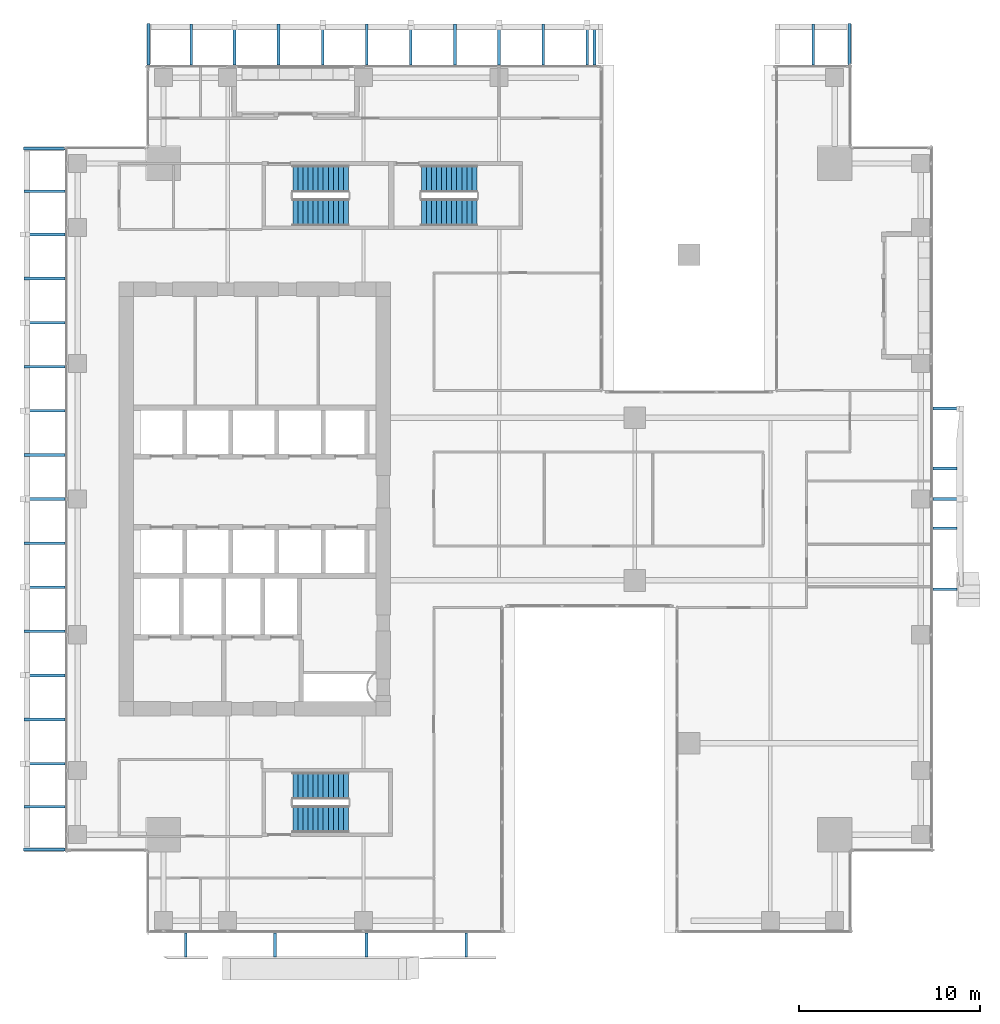
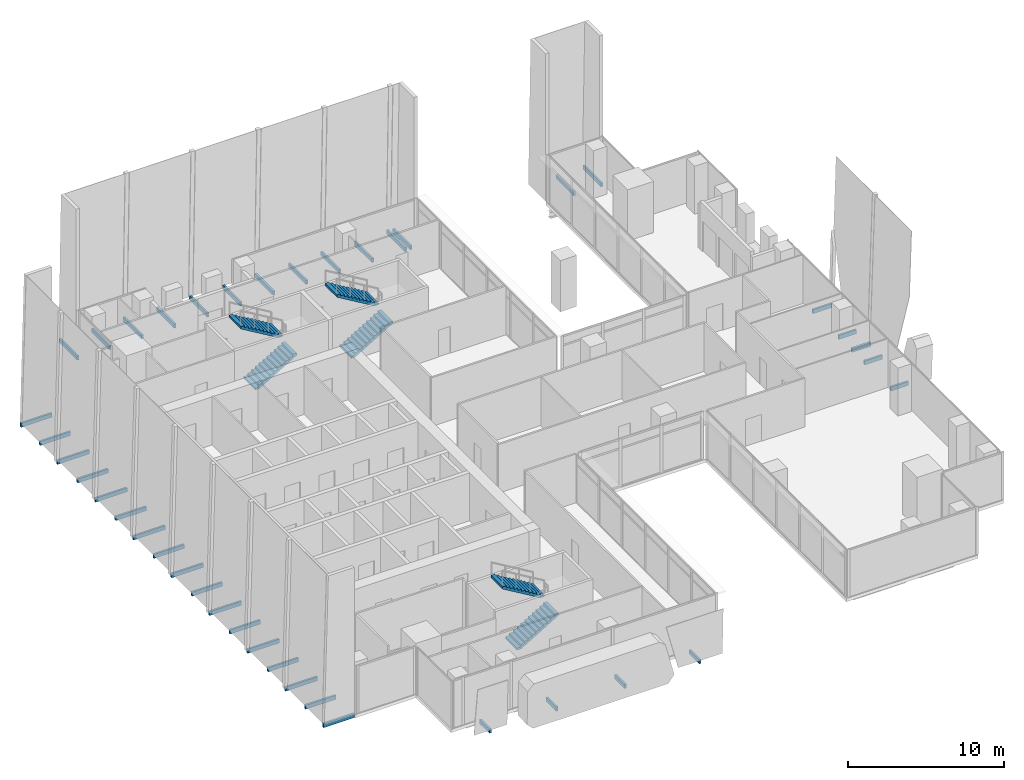
# One storey, part 36 of 40: 40 discrete accessories, 6 stair flights, 3 elements without a shape of their own.
"""IFC4 building model written with IfcOpenShell, lengths in metres."""

from ifc_helpers import new_model, si_unit, direction, frame, origin, origin_2d, place, context, subcontext, project, spatial, polyline, rectangle, outline, extrude, source, transform, mapped, material, type_object, element, aggregate, save


model = new_model("IFC4")

# Units and contexts
model_context = context("Model", 3, precision=1e-05, world=origin(), true_north=direction((0.0, 1.0)))
body_context = subcontext(model_context, "Body", "Model", "MODEL_VIEW")
ifc_project = project(units=[si_unit("LENGTHUNIT", "METRE"), si_unit("AREAUNIT", "SQUARE_METRE"), si_unit("VOLUMEUNIT", "CUBIC_METRE"), si_unit("PLANEANGLEUNIT", "RADIAN"), si_unit("MASSUNIT", "GRAM", prefix="KILO")], contexts=[model_context])

# Site, building, storey
site_placement = place(None, origin())
site = spatial("IfcSite", under=ifc_project, at=site_placement, CompositionType="ELEMENT")
building_placement = place(site_placement, origin())
building = spatial("IfcBuilding", under=site, at=building_placement, Name="Khomas Fold Tower", CompositionType="ELEMENT")
storey_placement = place(building_placement, frame((0.0, 0.0, 176.699951171875)))
storey = spatial("IfcBuildingStorey", under=building, at=storey_placement, Name="L38", CompositionType="ELEMENT", Elevation=176.699951171875)

# Stair, stair flights
ifc_material_1 = material(Name="Concrete C40/50", Category="concrete")
stair_type_1 = type_object("IfcStairType", Name="Stair ST1", PredefinedType="HALF_TURN_STAIR", material=ifc_material_1)
stair_1_placement = place(storey_placement, origin())
stair_1 = element("IfcStair", 1, at=stair_1_placement, inside=storey, type_object=stair_type_1, Name="L38 ST1", PredefinedType="HALF_TURN_STAIR")
ifc_material_2 = material(Name="Concrete C40/50", Category="concrete")
stair_flight_type_1 = type_object("IfcStairFlightType", Name="Stair flight 1500 ST1", PredefinedType="STRAIGHT", material=ifc_material_2)
shared_shape_1 = source(origin(), body_context, "Body", "SweptSolid", [
    extrude(outline(polyline([(0.0, 0.0), (0.0, 0.012939453125), (0.0, 0.025634765625), (0.0, 0.03857421875), (0.0, 0.05126953125), (0.0, 0.064208984375), (0.0, 0.076904296875), (0.0, 0.08984375), (0.0, 0.1025390625), (0.0, 0.115478515625), (0.0, 0.128173828125), (0.0, 0.14111328125), (0.0, 0.15380859375), (0.0, 0.166748046875), (0.280029296875, 0.166748046875), (0.280029296875, 0.333251953125), (0.56005859375, 0.333251953125), (0.56005859375, 0.5), (0.840087890625, 0.5), (0.840087890625, 0.666748046875), (1.1201171875, 0.666748046875), (1.1201171875, 0.833251953125), (1.39990234375, 0.833251953125), (1.39990234375, 1.0), (1.679931640625, 1.0), (1.679931640625, 1.166748046875), (1.9599609375, 1.166748046875), (1.9599609375, 1.333251953125), (2.239990234375, 1.333251953125), (2.239990234375, 1.5), (2.52001953125, 1.5), (2.52001953125, 1.666748046875), (2.800048828125, 1.666748046875), (2.800048828125, 1.833251953125), (3.080078125, 1.833251953125), (3.080078125, 2.0), (3.080078125, 1.973876953125), (3.080078125, 1.947509765625), (3.080078125, 1.92138671875), (3.080078125, 1.89501953125), (3.080078125, 1.868896484375), (3.080078125, 1.842529296875), (3.080078125, 1.81640625), (3.080078125, 1.7900390625), (3.080078125, 1.763916015625), (3.080078125, 1.737548828125), (3.080078125, 1.71142578125), (3.080078125, 1.68505859375), (3.080078125, 1.658935546875), (0.29296875, 0.0), (0.0, 0.0)])), frame((0.0, 0.75, 0.0), z_axis=(0.0, -1.0, 0.0), x_axis=(1.0, 0.0, 0.0)), (0.0, 0.0, 1.0), 1.5),
])
stair_flight_1_placement = place(storey_placement, frame((15.60009765625, 42.85009765625, 0.0), z_axis=(0.0, 0.0, 1.0), x_axis=(1.0, 0.0, 0.0)))
stair_flight_1 = element("IfcStairFlight", 2, at=stair_flight_1_placement, type_object=stair_flight_type_1, Name="ST1 flight 1", NumberOfRisers=12, NumberOfTreads=11, PredefinedType="STRAIGHT", RiserHeight=0.166666667, TreadLength=0.28, context=body_context, shape_type="MappedRepresentation", body=[
    mapped(shared_shape_1, transform((0.0, 0.0, 0.0))),
])
stair_flight_2_placement = place(storey_placement, frame((18.679931640625, 44.699951171875, 2.0), z_axis=(0.0, 0.0, 1.0), x_axis=(-1.0, 0.0, 0.0)))
stair_flight_2 = element("IfcStairFlight", 3, at=stair_flight_2_placement, type_object=stair_flight_type_1, Name="ST1 flight 2", NumberOfRisers=12, NumberOfTreads=11, PredefinedType="STRAIGHT", RiserHeight=0.166666667, TreadLength=0.28, context=body_context, shape_type="MappedRepresentation", body=[
    mapped(shared_shape_1, transform((0.0, 0.0, 0.0))),
])
aggregate(stair_1, [stair_flight_1, stair_flight_2])

ifc_material_3 = material(Name="Concrete C40/50", Category="concrete")
stair_type_2 = type_object("IfcStairType", Name="Stair ST2", PredefinedType="HALF_TURN_STAIR", material=ifc_material_3)
stair_2_placement = place(storey_placement, origin())
stair_2 = element("IfcStair", 4, at=stair_2_placement, inside=storey, type_object=stair_type_2, Name="L38 ST2", PredefinedType="HALF_TURN_STAIR")
ifc_material_4 = material(Name="Concrete C40/50", Category="concrete")
stair_flight_type_2 = type_object("IfcStairFlightType", Name="Stair flight 1500 ST2", PredefinedType="STRAIGHT", material=ifc_material_4)
stair_flight_3_placement = place(storey_placement, frame((15.60009765625, 9.300048828125, 0.0), z_axis=(0.0, 0.0, 1.0), x_axis=(1.0, 0.0, 0.0)))
stair_flight_3 = element("IfcStairFlight", 5, at=stair_flight_3_placement, type_object=stair_flight_type_2, Name="ST2 flight 1", NumberOfRisers=12, NumberOfTreads=11, PredefinedType="STRAIGHT", RiserHeight=0.166666667, TreadLength=0.28, context=body_context, shape_type="MappedRepresentation", body=[
    mapped(shared_shape_1, transform((0.0, 0.0, 0.0))),
])
stair_flight_4_placement = place(storey_placement, frame((18.679931640625, 11.14990234375, 2.0), z_axis=(0.0, 0.0, 1.0), x_axis=(-1.0, 0.0, 0.0)))
stair_flight_4 = element("IfcStairFlight", 6, at=stair_flight_4_placement, type_object=stair_flight_type_2, Name="ST2 flight 2", NumberOfRisers=12, NumberOfTreads=11, PredefinedType="STRAIGHT", RiserHeight=0.166666667, TreadLength=0.28, context=body_context, shape_type="MappedRepresentation", body=[
    mapped(shared_shape_1, transform((0.0, 0.0, 0.0))),
])
aggregate(stair_2, [stair_flight_3, stair_flight_4])

ifc_material_5 = material(Name="Concrete C40/50", Category="concrete")
stair_type_3 = type_object("IfcStairType", Name="Stair ST3", PredefinedType="HALF_TURN_STAIR", material=ifc_material_5)
stair_3_placement = place(storey_placement, origin())
stair_3 = element("IfcStair", 7, at=stair_3_placement, inside=storey, type_object=stair_type_3, Name="L38 ST3", PredefinedType="HALF_TURN_STAIR")
ifc_material_6 = material(Name="Concrete C40/50", Category="concrete")
stair_flight_type_3 = type_object("IfcStairFlightType", Name="Stair flight 1500 ST3", PredefinedType="STRAIGHT", material=ifc_material_6)
stair_flight_5_placement = place(storey_placement, frame((22.699951171875, 42.85009765625, 0.0), z_axis=(0.0, 0.0, 1.0), x_axis=(1.0, 0.0, 0.0)))
stair_flight_5 = element("IfcStairFlight", 8, at=stair_flight_5_placement, type_object=stair_flight_type_3, Name="ST3 flight 1", NumberOfRisers=12, NumberOfTreads=11, PredefinedType="STRAIGHT", RiserHeight=0.166666667, TreadLength=0.28, context=body_context, shape_type="MappedRepresentation", body=[
    mapped(shared_shape_1, transform((0.0, 0.0, 0.0))),
])
stair_flight_6_placement = place(storey_placement, frame((25.780029296875, 44.699951171875, 2.0), z_axis=(0.0, 0.0, 1.0), x_axis=(-1.0, 0.0, 0.0)))
stair_flight_6 = element("IfcStairFlight", 9, at=stair_flight_6_placement, type_object=stair_flight_type_3, Name="ST3 flight 2", NumberOfRisers=12, NumberOfTreads=11, PredefinedType="STRAIGHT", RiserHeight=0.166666667, TreadLength=0.28, context=body_context, shape_type="MappedRepresentation", body=[
    mapped(shared_shape_1, transform((0.0, 0.0, 0.0))),
])
aggregate(stair_3, [stair_flight_5, stair_flight_6])

# Discrete accessories
ifc_material_7 = material(Name="Stainless steel", Category="steel")
discrete_accessory_type = type_object("IfcDiscreteAccessoryType", Name="SK-Stainless steel stone bracket", PredefinedType="BRACKET", material=ifc_material_7)
shared_shape_2 = source(origin(), body_context, "Body", "SweptSolid", [
    extrude(rectangle(XDim=1.301513671875, YDim=0.14990234375, at=origin_2d()), origin(), (0.0, 0.0, 1.0), 0.31005859375),
])
for number, where, z_axis, x_axis, name in (
    (10, (14.611572265625, 2.34912109375, -0.25), (0.0, 0.0, 1.0), (0.0, -1.0, 0.0), "Stone bracket L38 SS03-1-1"),
    (11, (19.675048828125, 2.34912109375, -0.25), (0.0, 0.0, 1.0), (0.0, -1.0, 0.0), "Stone bracket L38 SS03-1-2"),
    (12, (51.65087890625, 22.0126953125, -0.25), (0.0, 0.0, 1.0), (1.0, 0.0, 0.0), "Stone bracket L38 ES03-1-1"),
    (13, (9.67578125, 2.34912109375, -0.25), (0.0, 0.0, 1.0), (0.0, -1.0, 0.0), "Stone bracket L38 SG099-1-1"),
    (14, (25.18994140625, 2.34912109375, -0.25), (0.0, 0.0, 1.0), (0.0, -1.0, 0.0), "Stone bracket L38 SG102-2-1"),
    (15, (51.65087890625, 25.3876953125, -0.25), (0.0, 0.0, 1.0), (1.0, 0.0, 0.0), "Stone bracket L38 EG102-2-1"),
    (16, (51.65087890625, 28.68798828125, -0.25), (0.0, 0.0, 1.0), (1.0, 0.0, 0.0), "Stone bracket L38 EG103-4-1"),
):
    element("IfcDiscreteAccessory", number, at=place(storey_placement, frame(where, z_axis=z_axis, x_axis=x_axis)), inside=storey, type_object=discrete_accessory_type, Name=name, PredefinedType="BRACKET", context=body_context, shape_type="MappedRepresentation", body=[
        mapped(shared_shape_2, transform((0.0, 0.0, 0.0))),
    ])
shared_shape_3 = source(origin(), body_context, "Body", "SweptSolid", [
    extrude(rectangle(XDim=1.396484375, YDim=0.14990234375, at=origin_2d()), origin(), (0.0, 0.0, 1.0), 0.31005859375),
])
for number, where, z_axis, x_axis, name in (
    (17, (51.6982421875, 32.0, -0.25), (0.0, 0.0, 1.0), (1.0, 0.0, 0.0), "Stone bracket L38 EM104-1-1"),
    (18, (51.6982421875, 27.0, -0.25), (0.0, 0.0, 1.0), (1.0, 0.0, 0.0), "Stone bracket L38 EM103-3-1"),
):
    element("IfcDiscreteAccessory", number, at=place(storey_placement, frame(where, z_axis=z_axis, x_axis=x_axis)), inside=storey, type_object=discrete_accessory_type, Name=name, PredefinedType="BRACKET", context=body_context, shape_type="MappedRepresentation", body=[
        mapped(shared_shape_3, transform((0.0, 0.0, 0.0))),
    ])
shared_shape_4 = source(origin(), body_context, "Body", "SweptSolid", [
    extrude(rectangle(XDim=2.255126953125, YDim=0.14990234375, at=origin_2d()), origin(), (0.0, 0.0, 1.0), 0.31005859375),
])
for number, where, z_axis, x_axis, name in (
    (19, (9.987548828125, 52.12744140625, -0.25), (0.0, 0.0, 1.0), (0.0, 1.0, 0.0), "Stone bracket L38 PLNG01"),
    (20, (14.8125, 52.12744140625, -0.25), (0.0, 0.0, 1.0), (0.0, 1.0, 0.0), "Stone bracket L38 PLNG03"),
    (21, (19.6875, 52.12744140625, -0.25), (0.0, 0.0, 1.0), (0.0, 1.0, 0.0), "Stone bracket L38 PLNG05"),
    (22, (24.5625, 52.12744140625, -0.25), (0.0, 0.0, 1.0), (0.0, 1.0, 0.0), "Stone bracket L38 PLNG07"),
    (23, (29.4375, 52.12744140625, -0.25), (0.0, 0.0, 1.0), (0.0, 1.0, 0.0), "Stone bracket L38 PLNG09"),
    (24, (32.2724609375, 52.12744140625, -0.25), (0.0, 0.0, 1.0), (0.0, 1.0, 0.0), "Stone bracket L38 PLNG11"),
    (25, (44.364990234375, 52.12744140625, -0.25), (0.0, 0.0, 1.0), (0.0, 1.0, 0.0), "Stone bracket L38 PLNG12"),
    (26, (1.87255859375, 9.987548828125, -0.25), (0.0, 0.0, 1.0), (-1.0, 0.0, 0.0), "Stone bracket L38 PLWG01"),
    (27, (1.87255859375, 14.8125, -0.25), (0.0, 0.0, 1.0), (-1.0, 0.0, 0.0), "Stone bracket L38 PLWG03"),
    (28, (1.87255859375, 19.6875, -0.25), (0.0, 0.0, 1.0), (-1.0, 0.0, 0.0), "Stone bracket L38 PLWG05"),
    (29, (1.87255859375, 24.5625, -0.25), (0.0, 0.0, 1.0), (-1.0, 0.0, 0.0), "Stone bracket L38 PLWG07"),
    (30, (1.87255859375, 29.4375, -0.25), (0.0, 0.0, 1.0), (-1.0, 0.0, 0.0), "Stone bracket L38 PLWG09"),
    (31, (1.87255859375, 34.3125, -0.25), (0.0, 0.0, 1.0), (-1.0, 0.0, 0.0), "Stone bracket L38 PLWG11"),
    (32, (1.87255859375, 39.1875, -0.25), (0.0, 0.0, 1.0), (-1.0, 0.0, 0.0), "Stone bracket L38 PLWG13"),
    (33, (1.87255859375, 44.012451171875, -0.25), (0.0, 0.0, 1.0), (-1.0, 0.0, 0.0), "Stone bracket L38 PLWG15"),
):
    element("IfcDiscreteAccessory", number, at=place(storey_placement, frame(where, z_axis=z_axis, x_axis=x_axis)), inside=storey, type_object=discrete_accessory_type, Name=name, PredefinedType="BRACKET", context=body_context, shape_type="MappedRepresentation", body=[
        mapped(shared_shape_4, transform((0.0, 0.0, 0.0))),
    ])
shared_shape_5 = source(origin(), body_context, "Body", "SweptSolid", [
    extrude(rectangle(XDim=2.35009765625, YDim=0.14990234375, at=origin_2d()), origin(), (0.0, 0.0, 1.0), 0.31005859375),
])
for number, where, z_axis, x_axis, name in (
    (34, (12.375, 52.175048828125, -0.25), (0.0, 0.0, 1.0), (0.0, 1.0, 0.0), "Stone bracket L38 PLNM02"),
    (35, (17.25, 52.175048828125, -0.25), (0.0, 0.0, 1.0), (0.0, 1.0, 0.0), "Stone bracket L38 PLNM04"),
    (36, (22.125, 52.175048828125, -0.25), (0.0, 0.0, 1.0), (0.0, 1.0, 0.0), "Stone bracket L38 PLNM06"),
    (37, (27.0, 52.175048828125, -0.25), (0.0, 0.0, 1.0), (0.0, 1.0, 0.0), "Stone bracket L38 PLNM08"),
    (38, (31.875, 52.175048828125, -0.25), (0.0, 0.0, 1.0), (0.0, 1.0, 0.0), "Stone bracket L38 PLNM10"),
    (39, (1.824951171875, 12.375, -0.25), (0.0, 0.0, 1.0), (-1.0, 0.0, 0.0), "Stone bracket L38 PLWM02"),
    (40, (1.824951171875, 17.25, -0.25), (0.0, 0.0, 1.0), (-1.0, 0.0, 0.0), "Stone bracket L38 PLWM04"),
    (41, (1.824951171875, 22.125, -0.25), (0.0, 0.0, 1.0), (-1.0, 0.0, 0.0), "Stone bracket L38 PLWM06"),
    (42, (1.824951171875, 27.0, -0.25), (0.0, 0.0, 1.0), (-1.0, 0.0, 0.0), "Stone bracket L38 PLWM08"),
    (43, (1.824951171875, 31.875, -0.25), (0.0, 0.0, 1.0), (-1.0, 0.0, 0.0), "Stone bracket L38 PLWM10"),
    (44, (1.824951171875, 36.75, -0.25), (0.0, 0.0, 1.0), (-1.0, 0.0, 0.0), "Stone bracket L38 PLWM12"),
    (45, (1.824951171875, 41.625, -0.25), (0.0, 0.0, 1.0), (-1.0, 0.0, 0.0), "Stone bracket L38 PLWM14"),
):
    element("IfcDiscreteAccessory", number, at=place(storey_placement, frame(where, z_axis=z_axis, x_axis=x_axis)), inside=storey, type_object=discrete_accessory_type, Name=name, PredefinedType="BRACKET", context=body_context, shape_type="MappedRepresentation", body=[
        mapped(shared_shape_5, transform((0.0, 0.0, 0.0))),
    ])
shared_shape_6 = source(origin(), body_context, "Body", "SweptSolid", [
    extrude(rectangle(XDim=2.294921875, YDim=0.14990234375, at=origin_2d()), origin(), (0.0, 0.0, 1.0), 0.31005859375),
])
for number, where, z_axis, x_axis, name in (
    (46, (7.625, 52.1474609375, -0.25), (0.0, 0.0, 1.0), (0.0, 1.0, 0.0), "Stone bracket L38 PLNR1"),
    (47, (46.375, 52.1474609375, -0.25), (0.0, 0.0, 1.0), (0.0, 1.0, 0.0), "Stone bracket L38 PLNR2"),
    (48, (1.8525390625, 7.625, -0.25), (0.0, 0.0, 1.0), (-1.0, 0.0, 0.0), "Stone bracket L38 PLWR1"),
    (49, (1.8525390625, 46.375, -0.25), (0.0, 0.0, 1.0), (-1.0, 0.0, 0.0), "Stone bracket L38 PLWR2"),
):
    element("IfcDiscreteAccessory", number, at=place(storey_placement, frame(where, z_axis=z_axis, x_axis=x_axis)), inside=storey, type_object=discrete_accessory_type, Name=name, PredefinedType="BRACKET", context=body_context, shape_type="MappedRepresentation", body=[
        mapped(shared_shape_6, transform((0.0, 0.0, 0.0))),
    ])

save(model, "model.ifc")
